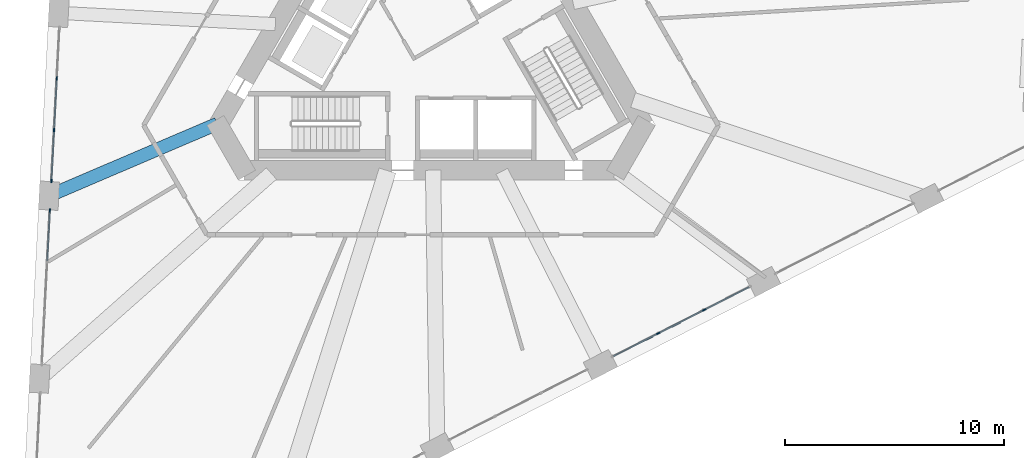
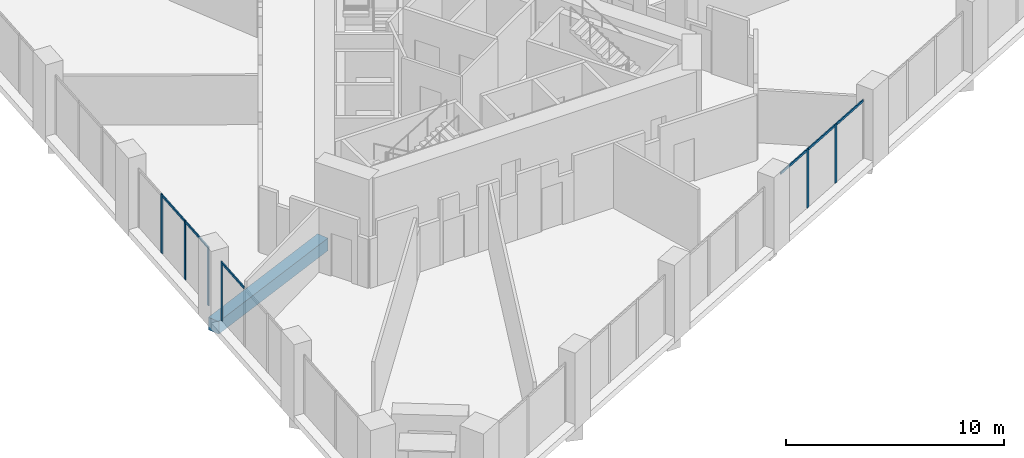
# One storey, part 3 of 18: 12 members, 1 beam, 3 elements without a shape of their own.
"""IFC4 building model written with IfcOpenShell, lengths in metres."""

from ifc_helpers import new_model, si_unit, direction, frame, origin, origin_2d, place, context, subcontext, project, spatial, rectangle, extrude, material, layer, layer_set, material_profile, profile_set, type_object, element, aggregate, save


model = new_model("IFC4")

# Units and contexts
model_context = context("Model", 3, precision=1e-05, world=origin(), true_north=direction((0.0, 1.0)))
body_context = subcontext(model_context, "Body", "Model", "MODEL_VIEW")
ifc_project = project(units=[si_unit("LENGTHUNIT", "METRE"), si_unit("AREAUNIT", "SQUARE_METRE"), si_unit("VOLUMEUNIT", "CUBIC_METRE"), si_unit("PLANEANGLEUNIT", "RADIAN"), si_unit("MASSUNIT", "GRAM", prefix="KILO")], contexts=[model_context])

# Site, building, storey
site_placement = place(None, origin())
site = spatial("IfcSite", under=ifc_project, at=site_placement, CompositionType="ELEMENT")
building_placement = place(site_placement, origin())
building = spatial("IfcBuilding", under=site, at=building_placement, Name="Tramontana Tower", CompositionType="ELEMENT")
storey_placement = place(building_placement, frame((0.0, 0.0, 125.60009765625)))
storey = spatial("IfcBuildingStorey", under=building, at=storey_placement, Name="L28", CompositionType="ELEMENT", Elevation=125.60009765625)

# Curtain wall, members
ifc_material_1 = material(Name="Aluminum extrusion", Category="aluminium")
ifc_layer = layer(ifc_material_1, 0.14990234375)
ifc_layer_set = layer_set([ifc_layer], Name="CW3 Sky lobby 1 curtain wall")
curtain_wall_type = type_object("IfcCurtainWallType", Name="CW3 Sky lobby 1 curtain wall", PredefinedType="NOTDEFINED", material=ifc_layer_set)
curtain_wall_1_placement = place(storey_placement, origin())
curtain_wall_1 = element("IfcCurtainWall", 1, at=curtain_wall_1_placement, inside=storey, type_object=curtain_wall_type, Name="CW3 curtain wall L28 face 0 bay 4", PredefinedType="NOTDEFINED")
ifc_material_2 = material(Name="Aluminum extrusion", Category="aluminium")
ifc_material_profile_1 = material_profile(ifc_material_2, rectangle(XDim=0.06005859375, YDim=0.159912109375, at=origin_2d()), Name="CW3-M Mullion 60 x 160")
ifc_profile_set_1 = profile_set([ifc_material_profile_1], Name="Aluminum extrusion")
member_type_1 = type_object("IfcMemberType", Name="CW3-M Mullion 60 x 160", PredefinedType="MULLION", material=ifc_profile_set_1)
member_1_placement = place(storey_placement, frame((-17.109130859375, -2.11474609375, 0.0), z_axis=(0.0, 0.0, 1.0), x_axis=(0.998629534755, -0.052335956243, 0.0)))
member_1 = element("IfcMember", 2, at=member_1_placement, type_object=member_type_1, Name="CW3 curtain wall L28 face 0 bay 4 mullion 2", PredefinedType="MULLION", context=body_context, shape_type="SweptSolid", body=[
    extrude(rectangle(XDim=0.06005859375, YDim=0.159912109375, at=origin_2d()), origin(), (0.0, 0.0, 1.0), 3.2998046875),
])
member_2_placement = place(storey_placement, frame((-17.232421875, -4.46875, 0.0), z_axis=(0.0, 0.0, 1.0), x_axis=(0.998629534755, -0.052335956243, 0.0)))
member_2 = element("IfcMember", 3, at=member_2_placement, type_object=member_type_1, Name="CW3 curtain wall L28 face 0 bay 4 mullion 3", PredefinedType="MULLION", context=body_context, shape_type="SweptSolid", body=[
    extrude(rectangle(XDim=0.06005859375, YDim=0.159912109375, at=origin_2d()), origin(), (0.0, 0.0, 1.0), 3.2998046875),
])
member_3_placement = place(storey_placement, frame((-17.354248046875, -6.792724609375, 0.0), z_axis=(0.0, 0.0, 1.0), x_axis=(0.998629534755, -0.052335956243, 0.0)))
member_3 = element("IfcMember", 4, at=member_3_placement, type_object=member_type_1, Name="CW3 curtain wall L28 face 0 bay 4 mullion 4", PredefinedType="MULLION", context=body_context, shape_type="SweptSolid", body=[
    extrude(rectangle(XDim=0.06005859375, YDim=0.159912109375, at=origin_2d()), origin(), (0.0, 0.0, 1.0), 3.2998046875),
])

# Curtain wall, member
curtain_wall_2_placement = place(storey_placement, origin())
curtain_wall_2 = element("IfcCurtainWall", 5, at=curtain_wall_2_placement, inside=storey, type_object=curtain_wall_type, Name="CW3 curtain wall L28 face 0 bay 5", PredefinedType="NOTDEFINED")
member_4_placement = place(storey_placement, frame((-17.425537109375, -8.15087890625, 0.0), z_axis=(0.0, 0.0, 1.0), x_axis=(0.998629534755, -0.052335956243, 0.0)))
member_4 = element("IfcMember", 6, at=member_4_placement, type_object=member_type_1, Name="CW3 curtain wall L28 face 0 bay 5 mullion 1", PredefinedType="MULLION", context=body_context, shape_type="SweptSolid", body=[
    extrude(rectangle(XDim=0.06005859375, YDim=0.159912109375, at=origin_2d()), origin(), (0.0, 0.0, 1.0), 3.2998046875),
])

# Curtain wall, members
curtain_wall_3_placement = place(storey_placement, origin())
curtain_wall_3 = element("IfcCurtainWall", 7, at=curtain_wall_3_placement, inside=storey, type_object=curtain_wall_type, Name="CW3 curtain wall L28 face 1 bay 4", PredefinedType="NOTDEFINED")
member_5_placement = place(storey_placement, frame((10.385986328125, -13.759521484375, 0.0), z_axis=(0.0, 0.0, 1.0), x_axis=(-0.45399049974, 0.891006524188, 0.0)))
member_5 = element("IfcMember", 8, at=member_5_placement, type_object=member_type_1, Name="CW3 curtain wall L28 face 1 bay 4 mullion 2", PredefinedType="MULLION", context=body_context, shape_type="SweptSolid", body=[
    extrude(rectangle(XDim=0.06005859375, YDim=0.159912109375, at=origin_2d()), origin(), (0.0, 0.0, 1.0), 3.2998046875),
])
member_6_placement = place(storey_placement, frame((12.486083984375, -12.689453125, 0.0), z_axis=(0.0, 0.0, 1.0), x_axis=(-0.45399049974, 0.891006524188, 0.0)))
member_6 = element("IfcMember", 9, at=member_6_placement, type_object=member_type_1, Name="CW3 curtain wall L28 face 1 bay 4 mullion 3", PredefinedType="MULLION", context=body_context, shape_type="SweptSolid", body=[
    extrude(rectangle(XDim=0.06005859375, YDim=0.159912109375, at=origin_2d()), origin(), (0.0, 0.0, 1.0), 3.2998046875),
])

# Member
ifc_material_3 = material(Name="Aluminum extrusion", Category="aluminium")
ifc_material_profile_2 = material_profile(ifc_material_3, rectangle(XDim=0.06005859375, YDim=0.1201171875, at=origin_2d()), Name="CW3-T Transom 60 x 120")
ifc_profile_set_2 = profile_set([ifc_material_profile_2], Name="Aluminum extrusion")
member_type_2 = type_object("IfcMemberType", Name="CW3-T Transom 60 x 120", PredefinedType="USERDEFINED", material=ifc_profile_set_2)
member_7_placement = place(storey_placement, frame((-17.110595703125, -2.14453125, 3.239990234375), z_axis=(-0.052391499924, -0.998626622285, 0.0), x_axis=(0.998626622285, -0.052391499924, 0.0)))
member_7 = element("IfcMember", 10, at=member_7_placement, type_object=member_type_2, Name="CW3 curtain wall L28 face 0 bay 4 transom 2.1", ObjectType="TRANSOM", PredefinedType="USERDEFINED", context=body_context, shape_type="SweptSolid", body=[
    extrude(rectangle(XDim=0.06005859375, YDim=0.1201171875, at=origin_2d()), origin(), (0.0, 0.0, 1.0), 2.29736328125),
])

member_8_placement = place(storey_placement, frame((-17.234130859375, -4.49853515625, 3.239990234375), z_axis=(-0.052332762049, -0.99862970215, 0.0), x_axis=(0.99862970215, -0.052332762049, 0.0)))
member_8 = element("IfcMember", 11, at=member_8_placement, type_object=member_type_2, Name="CW3 curtain wall L28 face 0 bay 4 transom 3.1", ObjectType="TRANSOM", PredefinedType="USERDEFINED", context=body_context, shape_type="SweptSolid", body=[
    extrude(rectangle(XDim=0.06005859375, YDim=0.1201171875, at=origin_2d()), origin(), (0.0, 0.0, 1.0), 2.267333984375),
])

aggregate(curtain_wall_1, [member_1, member_2, member_3, member_7, member_8])

member_9_placement = place(storey_placement, frame((-17.427001953125, -8.1806640625, 3.239990234375), z_axis=(-0.052332762049, -0.99862970215, 0.0), x_axis=(0.99862970215, -0.052332762049, 0.0)))
member_9 = element("IfcMember", 12, at=member_9_placement, type_object=member_type_2, Name="CW3 curtain wall L28 face 0 bay 5 transom 1.1", ObjectType="TRANSOM", PredefinedType="USERDEFINED", context=body_context, shape_type="SweptSolid", body=[
    extrude(rectangle(XDim=0.06005859375, YDim=0.1201171875, at=origin_2d()), origin(), (0.0, 0.0, 1.0), 2.267333984375),
])

aggregate(curtain_wall_2, [member_4, member_9])

member_10_placement = place(storey_placement, frame((8.339111328125, -14.802490234375, 3.239990234375), z_axis=(0.890998403094, 0.454006437932, 0.0), x_axis=(-0.454006437932, 0.890998403094, 0.0)))
member_10 = element("IfcMember", 13, at=member_10_placement, type_object=member_type_2, Name="CW3 curtain wall L28 face 1 bay 4 transom 1.1", ObjectType="TRANSOM", PredefinedType="USERDEFINED", context=body_context, shape_type="SweptSolid", body=[
    extrude(rectangle(XDim=0.06005859375, YDim=0.1201171875, at=origin_2d()), origin(), (0.0, 0.0, 1.0), 2.26708984375),
])

member_11_placement = place(storey_placement, frame((10.41259765625, -13.74609375, 3.239990234375), z_axis=(0.891000564526, 0.454002196046, 0.0), x_axis=(-0.454002196046, 0.891000564526, 0.0)))
member_11 = element("IfcMember", 14, at=member_11_placement, type_object=member_type_2, Name="CW3 curtain wall L28 face 1 bay 4 transom 2.1", ObjectType="TRANSOM", PredefinedType="USERDEFINED", context=body_context, shape_type="SweptSolid", body=[
    extrude(rectangle(XDim=0.06005859375, YDim=0.1201171875, at=origin_2d()), origin(), (0.0, 0.0, 1.0), 2.29736328125),
])

member_12_placement = place(storey_placement, frame((12.512939453125, -12.67578125, 3.239990234375), z_axis=(0.890998403094, 0.454006437932, 0.0), x_axis=(-0.454006437932, 0.890998403094, 0.0)))
member_12 = element("IfcMember", 15, at=member_12_placement, type_object=member_type_2, Name="CW3 curtain wall L28 face 1 bay 4 transom 3.1", ObjectType="TRANSOM", PredefinedType="USERDEFINED", context=body_context, shape_type="SweptSolid", body=[
    extrude(rectangle(XDim=0.06005859375, YDim=0.1201171875, at=origin_2d()), origin(), (0.0, 0.0, 1.0), 2.26708984375),
])

aggregate(curtain_wall_3, [member_5, member_6, member_10, member_11, member_12])

# Beam
ifc_material_4 = material(Name="Concrete 40 MPa", Category="concrete")
ifc_material_profile_3 = material_profile(ifc_material_4, rectangle(XDim=0.60009765625, YDim=0.699951171875, at=origin_2d()), Name="RC GIRDER 600X700 40 MPa")
ifc_profile_set_3 = profile_set([ifc_material_profile_3], Name="Concrete 40 MPa")
beam_type = type_object("IfcBeamType", Name="RC GIRDER 600X700 40 MPa", PredefinedType="BEAM", material=ifc_profile_set_3)
beam_placement = place(storey_placement, frame((-17.46484375, -7.4677734375, -0.7001953125), z_axis=(0.919473795441, 0.393151293394, 0.0), x_axis=(-0.393151293394, 0.919473795441, 0.0)))
element("IfcBeam", 16, at=beam_placement, inside=storey, type_object=beam_type, Name="Radial girder C3F04 L28", PredefinedType="BEAM", context=body_context, shape_type="SweptSolid", body=[
    extrude(rectangle(XDim=0.60009765625, YDim=0.699951171875, at=origin_2d()), origin(), (0.0, 0.0, 1.0), 8.365234375),
])

save(model, "model.ifc")
